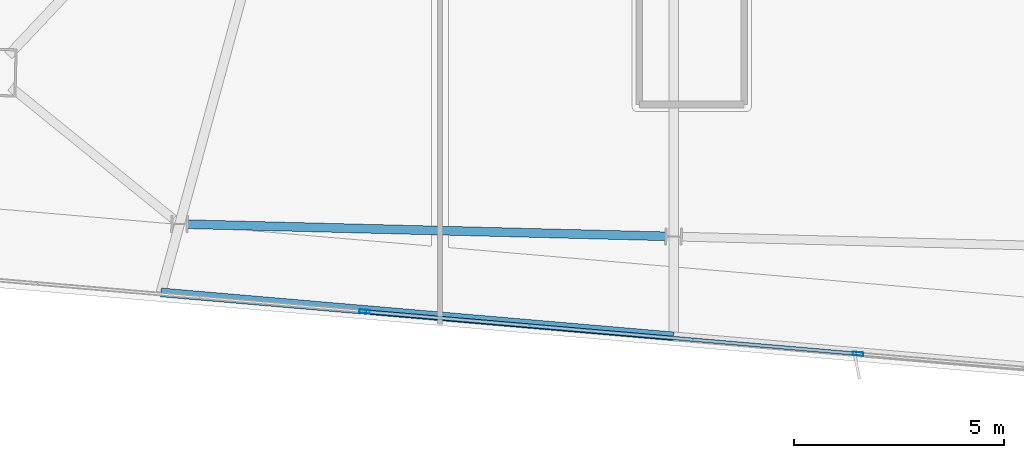
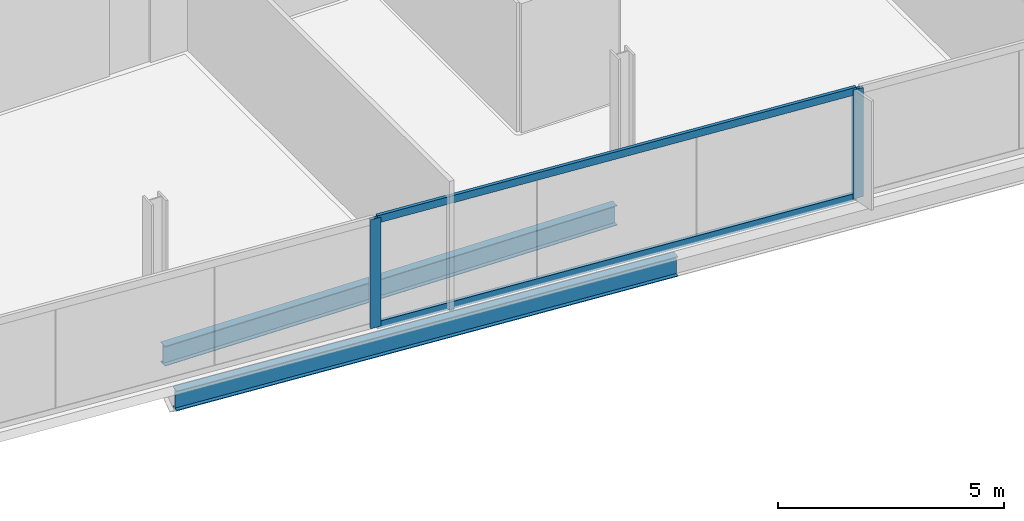
# One storey, part 4 of 24: 4 members, 2 beams, 1 element without a shape of its own.
"""IFC4 building model written with IfcOpenShell, lengths in metres."""

from ifc_helpers import new_model, si_unit, direction, frame, origin, origin_2d, place, context, subcontext, project, spatial, hollow_rectangle, i_section, extrude, material, material_profile, profile_set, type_object, element, aggregate, save


model = new_model("IFC4")

# Units and contexts
model_context = context("Model", 3, precision=1e-05, world=origin(), true_north=direction((0.0, 1.0)))
body_context = subcontext(model_context, "Body", "Model", "MODEL_VIEW")
ifc_project = project(units=[si_unit("LENGTHUNIT", "METRE"), si_unit("AREAUNIT", "SQUARE_METRE"), si_unit("VOLUMEUNIT", "CUBIC_METRE"), si_unit("PLANEANGLEUNIT", "RADIAN"), si_unit("MASSUNIT", "GRAM", prefix="KILO")], contexts=[model_context])

# Site, building, storey
site_placement = place(None, origin())
site = spatial("IfcSite", under=ifc_project, at=site_placement, CompositionType="ELEMENT")
building_placement = place(site_placement, origin())
building = spatial("IfcBuilding", under=site, at=building_placement, Name="Haldenkirk Collegiate Tower", CompositionType="ELEMENT")
storey_placement = place(building_placement, frame((0.0, 0.0, 313.949951171875)))
storey = spatial("IfcBuildingStorey", under=building, at=storey_placement, Name="L79", CompositionType="ELEMENT", Elevation=313.949951171875)

# Beams
ifc_material_1 = material(Name="Steel ASTM A992 Grade 50", Category="steel")
ifc_material_profile_1 = material_profile(ifc_material_1, i_section(OverallWidth=0.2099609375, OverallDepth=0.537109375, WebThickness=0.010986328125, FlangeThickness=0.017333984375, at=origin_2d()), Name="W21X68")
ifc_profile_set_1 = profile_set([ifc_material_profile_1], Name="Steel ASTM A992 Grade 50")
beam_type = type_object("IfcBeamType", Name="BM-SPANDREL-W21X68", PredefinedType="SPANDREL", material=ifc_profile_set_1)
beam_1_placement = place(storey_placement, frame((23.984375, 6.247802734375, -0.528564453125), z_axis=(0.99967950041, -0.02531593293, 0.0), x_axis=(0.02531593293, 0.99967950041, 0.0)))
element("IfcBeam", 1, at=beam_1_placement, inside=storey, type_object=beam_type, Name="L79 perimeter spandrel beam 14", PredefinedType="SPANDREL", context=body_context, shape_type="SweptSolid", body=[
    extrude(i_section(OverallWidth=0.2099609375, OverallDepth=0.537109375, WebThickness=0.010986328125, FlangeThickness=0.017333984375, at=origin_2d()), origin(), (0.0, 0.0, 1.0), 11.39892578125),
])
beam_2_placement = place(storey_placement, frame((23.351806640625, 4.622314453125, -0.528564453125), z_axis=(0.996344615549, -0.085424862113, 0.0), x_axis=(0.085424862113, 0.996344615549, 0.0)))
element("IfcBeam", 2, at=beam_2_placement, inside=storey, type_object=beam_type, Name="L79 outer facade edge beam 4A", PredefinedType="SPANDREL", context=body_context, shape_type="SweptSolid", body=[
    extrude(i_section(OverallWidth=0.2099609375, OverallDepth=0.537109375, WebThickness=0.010986328125, FlangeThickness=0.017333984375, at=origin_2d()), origin(), (0.0, 0.0, 1.0), 12.2607421875),
])

# Curtain wall, members
ifc_material_2 = material(Name="Anodised architectural bronze aluminium", Category="aluminium")
curtain_wall_type = type_object("IfcCurtainWallType", Name="CW-SYS1B-CONVEX-HI", PredefinedType="USERDEFINED", material=ifc_material_2)
curtain_wall_placement = place(storey_placement, origin())
curtain_wall = element("IfcCurtainWall", 3, at=curtain_wall_placement, inside=storey, type_object=curtain_wall_type, Name="L79 Upper tower high-wind convex bronze unitised curtain wall", ObjectType="UNITISED CURTAIN WALL", PredefinedType="USERDEFINED")
ifc_material_profile_2 = material_profile(ifc_material_2, hollow_rectangle(XDim=0.0849609375, YDim=0.25, WallThickness=0.0048828125, at=origin_2d()), Name="CW-MUL-1B")
ifc_profile_set_2 = profile_set([ifc_material_profile_2], Name="Anodised architectural bronze aluminium")
member_type_1 = type_object("IfcMemberType", Name="CW-MUL-1B", PredefinedType="MULLION", material=ifc_profile_set_2)
member_1_placement = place(storey_placement, frame((39.96337890625, 3.157958984375, 0.0), z_axis=(0.0, 0.0, 1.0), x_axis=(-0.085418127117, -0.996345192973, 0.0)))
member_1 = element("IfcMember", 4, at=member_1_placement, type_object=member_type_1, Name="CW-1B mullion 2", PredefinedType="MULLION", context=body_context, shape_type="SweptSolid", body=[
    extrude(hollow_rectangle(XDim=0.0849609375, YDim=0.25, WallThickness=0.0048828125, at=origin_2d()), origin(), (0.0, 0.0, 1.0), 2.947998046875),
])
member_2_placement = place(storey_placement, frame((28.20654296875, 4.165771484375, 0.0), z_axis=(0.0, 0.0, 1.0), x_axis=(-0.085418127117, -0.996345192973, 0.0)))
member_2 = element("IfcMember", 5, at=member_2_placement, type_object=member_type_1, Name="CW-1B mullion 3", PredefinedType="MULLION", context=body_context, shape_type="SweptSolid", body=[
    extrude(hollow_rectangle(XDim=0.0849609375, YDim=0.25, WallThickness=0.0048828125, at=origin_2d()), origin(), (0.0, 0.0, 1.0), 2.947998046875),
])
ifc_material_profile_3 = material_profile(ifc_material_2, hollow_rectangle(XDim=0.0849609375, YDim=0.199951171875, WallThickness=0.0048828125, at=origin_2d()), Name="CW-TRN-1B")
ifc_profile_set_3 = profile_set([ifc_material_profile_3], Name="Anodised architectural bronze aluminium")
member_type_2 = type_object("IfcMemberType", Name="CW-TRN-1B", PredefinedType="USERDEFINED", material=ifc_profile_set_3)
member_3_placement = place(storey_placement, frame((39.921142578125, 3.16162109375, 0.04248046875), z_axis=(-0.996344723527, 0.085423602705, 0.0), x_axis=(-0.085423602705, -0.996344723527, 0.0)))
member_3 = element("IfcMember", 6, at=member_3_placement, type_object=member_type_2, Name="CW-1B transom 2.1", ObjectType="TRANSOM", PredefinedType="USERDEFINED", context=body_context, shape_type="SweptSolid", body=[
    extrude(hollow_rectangle(XDim=0.0849609375, YDim=0.199951171875, WallThickness=0.0048828125, at=origin_2d()), origin(), (0.0, 0.0, 1.0), 11.71484375),
])
member_4_placement = place(storey_placement, frame((39.921142578125, 3.16162109375, 2.905517578125), z_axis=(-0.996344723527, 0.085423602705, 0.0), x_axis=(-0.085423602705, -0.996344723527, 0.0)))
member_4 = element("IfcMember", 7, at=member_4_placement, type_object=member_type_2, Name="CW-1B transom 2.2", ObjectType="TRANSOM", PredefinedType="USERDEFINED", context=body_context, shape_type="SweptSolid", body=[
    extrude(hollow_rectangle(XDim=0.0849609375, YDim=0.199951171875, WallThickness=0.0048828125, at=origin_2d()), origin(), (0.0, 0.0, 1.0), 11.71484375),
])
aggregate(curtain_wall, [member_1, member_2, member_3, member_4])

save(model, "model.ifc")
